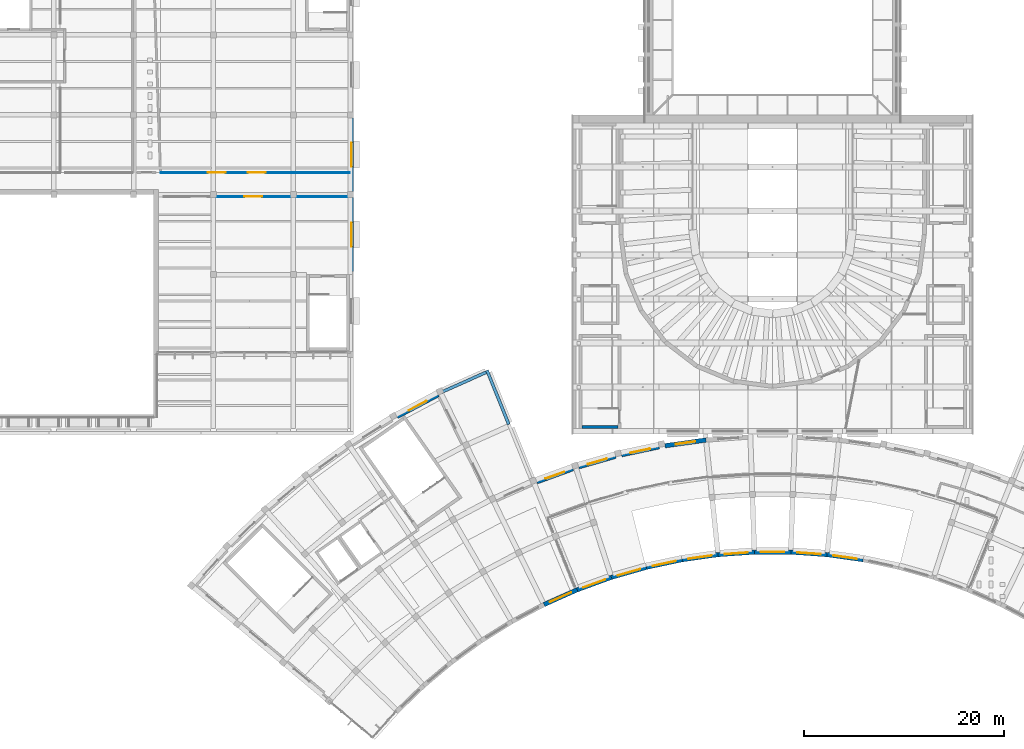
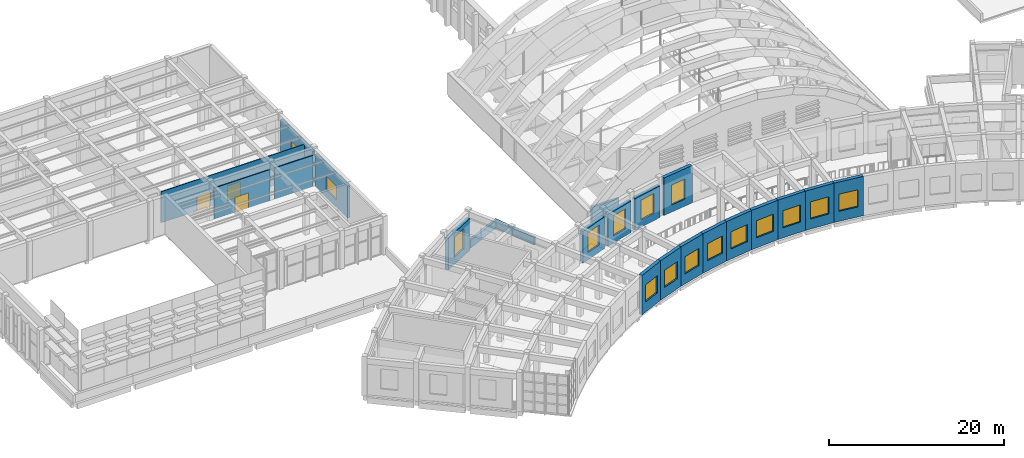
# One storey, part 61 of 94: 22 walls, 16 windows, 3 doors, 19 openings.
"""IFC4 building model written with IfcOpenShell, lengths in metres."""

from ifc_helpers import new_model, si_unit, direction, frame, frame_2d, origin, place, context, subcontext, project, spatial, rectangle, extrude, material, layer, layer_set, type_object, element, fill, save


model = new_model("IFC4")

# Units and contexts
model_context = context("Model", 3, precision=1e-05, world=origin(), true_north=direction((0.0, 1.0)))
body_context = subcontext(model_context, "Body", "Model", "MODEL_VIEW")
ifc_project = project(units=[si_unit("LENGTHUNIT", "METRE"), si_unit("AREAUNIT", "SQUARE_METRE"), si_unit("VOLUMEUNIT", "CUBIC_METRE"), si_unit("PLANEANGLEUNIT", "RADIAN"), si_unit("MASSUNIT", "GRAM", prefix="KILO")], contexts=[model_context])

# Site, building, storey
site_placement = place(None, origin())
site = spatial("IfcSite", under=ifc_project, at=site_placement, CompositionType="ELEMENT")
building_placement = place(site_placement, origin())
building = spatial("IfcBuilding", under=site, at=building_placement, Name="Lunette Opera House", CompositionType="ELEMENT")
storey_placement = place(building_placement, frame((0.0, 0.0, 22.5)))
storey = spatial("IfcBuildingStorey", under=building, at=storey_placement, Name="L04", CompositionType="ELEMENT", Elevation=22.5)

# Wall, opening, window
ifc_material_1 = material(Name="Clinker brick", Category="masonry")
ifc_layer_1 = layer(ifc_material_1, 0.449951171875)
ifc_layer_set_1 = layer_set([ifc_layer_1], Name="Clinker brick")
wall_type_1 = type_object("IfcWallType", Name="ARM RAIN SCREEN WALL 450", PredefinedType="SOLIDWALL", material=ifc_layer_set_1)
wall_1_placement = place(storey_placement, frame((58.3779296875, 65.763916015625, 0.0), z_axis=(0.0, 0.0, 1.0), x_axis=(0.882917406039, 0.469528331535, 0.0)))
wall_1 = element("IfcWall", 1, at=wall_1_placement, inside=storey, type_object=wall_type_1, Name="Arm Rain Screen Wall 450 BW-CW06 L04", PredefinedType="SOLIDWALL", context=body_context, shape_type="SweptSolid", body=[
    extrude(rectangle(XDim=4.68798828125, YDim=0.449951171875, at=frame_2d((2.343994140625, 0.0))), origin(), (0.0, 0.0, 1.0), 4.449951171875),
])
opening_1_placement = place(wall_1_placement, frame((1.343994140625, 0.0, 1.0)))
opening_1 = element("IfcOpeningElement", 2, at=opening_1_placement, cuts=wall_1, Name="Opening FC-N2134", PredefinedType="OPENING", context=body_context, shape_type="SweptSolid", body=[
    extrude(rectangle(XDim=2.0, YDim=2.800048828125, at=frame_2d((1.0, 1.39990234375))), frame((0.0, 0.237060546875, 0.0), z_axis=(0.0, -1.0, 0.0), x_axis=(1.0, 0.0, 0.0)), (0.0, 0.0, 1.0), 0.473876953125),
])
ifc_material_2 = material(Name="Aluminium", Category="aluminium")
window_type_1 = type_object("IfcWindowType", Name="ARM WINDOW 2000 X 2800", PartitioningType="DOUBLE_PANEL_VERTICAL", PredefinedType="WINDOW", material=ifc_material_2)
window_1_placement = place(opening_1_placement, origin())
window_1 = element("IfcWindow", 3, at=window_1_placement, inside=storey, type_object=window_type_1, Name="Arm Window 2000 X 2800 BW-CW06 L04", OverallHeight=2.800048828125, OverallWidth=2.0, PartitioningType="DOUBLE_PANEL_VERTICAL", PredefinedType="WINDOW", context=body_context, shape_type="SweptSolid", body=[
    extrude(rectangle(XDim=2.0, YDim=2.800048828125, at=frame_2d((1.0, 1.39990234375))), frame((0.0, 0.030029296875, 0.0), z_axis=(0.0, -1.0, 0.0), x_axis=(1.0, 0.0, 0.0)), (0.0, 0.0, 1.0), 0.06005859375),
])
fill(opening_1, window_1)

ifc_material_3 = material(Name="Clinker brick", Category="masonry")
ifc_layer_2 = layer(ifc_material_3, 0.449951171875)
ifc_layer_set_2 = layer_set([ifc_layer_2], Name="Clinker brick")
wall_type_2 = type_object("IfcWallType", Name="ARM REAR WALL 450", PredefinedType="SOLIDWALL", material=ifc_layer_set_2)
wall_2_placement = place(storey_placement, frame((89.333984375, 63.425048828125, 0.0), z_axis=(0.0, 0.0, 1.0), x_axis=(-0.990278626162, -0.139097960324, 0.0)))
wall_2 = element("IfcWall", 4, at=wall_2_placement, inside=storey, type_object=wall_type_2, Name="Arm Rear Wall 450 F13 L04", PredefinedType="SOLIDWALL", context=body_context, shape_type="SweptSolid", body=[
    extrude(rectangle(XDim=4.149169921875, YDim=0.449951171875, at=frame_2d((2.07470703125, 0.0))), origin(), (0.0, 0.0, 1.0), 5.25),
])
opening_2_placement = place(wall_2_placement, frame((1.074951171875, 0.0, 1.0)))
opening_2 = element("IfcOpeningElement", 5, at=opening_2_placement, cuts=wall_2, Name="Opening FC-N2203", PredefinedType="OPENING", context=body_context, shape_type="SweptSolid", body=[
    extrude(rectangle(XDim=2.0, YDim=2.800048828125, at=frame_2d((1.0, 1.39990234375))), frame((0.0, 0.237060546875, 0.0), z_axis=(0.0, -1.0, 0.0), x_axis=(1.0, 0.0, 0.0)), (0.0, 0.0, 1.0), 0.473876953125),
])
window_2_placement = place(opening_2_placement, origin())
window_2 = element("IfcWindow", 6, at=window_2_placement, inside=storey, type_object=window_type_1, Name="Arm Window 2000 X 2800 F13 L04", OverallHeight=2.800048828125, OverallWidth=2.0, PartitioningType="DOUBLE_PANEL_VERTICAL", PredefinedType="WINDOW", context=body_context, shape_type="SweptSolid", body=[
    extrude(rectangle(XDim=2.0, YDim=2.800048828125, at=frame_2d((1.0, 1.39990234375))), frame((0.0, 0.030029296875, 0.0), z_axis=(0.0, -1.0, 0.0), x_axis=(1.0, 0.0, 0.0)), (0.0, 0.0, 1.0), 0.06005859375),
])
fill(opening_2, window_2)

wall_3_placement = place(storey_placement, frame((84.631103515625, 62.742919921875, 0.0), z_axis=(0.0, 0.0, 1.0), x_axis=(-0.978203666183, -0.207647748524, 0.0)))
wall_3 = element("IfcWall", 7, at=wall_3_placement, inside=storey, type_object=wall_type_2, Name="Arm Rear Wall 450 F14 L04", PredefinedType="SOLIDWALL", context=body_context, shape_type="SweptSolid", body=[
    extrude(rectangle(XDim=3.846923828125, YDim=0.449951171875, at=frame_2d((1.92333984375, 0.0))), origin(), (0.0, 0.0, 1.0), 4.449951171875),
])
opening_3_placement = place(wall_3_placement, frame((0.923095703125, 0.0, 1.0)))
opening_3 = element("IfcOpeningElement", 8, at=opening_3_placement, cuts=wall_3, Name="Opening FC-N2204", PredefinedType="OPENING", context=body_context, shape_type="SweptSolid", body=[
    extrude(rectangle(XDim=2.0, YDim=2.800048828125, at=frame_2d((1.0, 1.39990234375))), frame((0.0, 0.237060546875, 0.0), z_axis=(0.0, -1.0, 0.0), x_axis=(1.0, 0.0, 0.0)), (0.0, 0.0, 1.0), 0.473876953125),
])
window_3_placement = place(opening_3_placement, origin())
window_3 = element("IfcWindow", 9, at=window_3_placement, inside=storey, type_object=window_type_1, Name="Arm Window 2000 X 2800 F14 L04", OverallHeight=2.800048828125, OverallWidth=2.0, PartitioningType="DOUBLE_PANEL_VERTICAL", PredefinedType="WINDOW", context=body_context, shape_type="SweptSolid", body=[
    extrude(rectangle(XDim=2.0, YDim=2.800048828125, at=frame_2d((1.0, 1.39990234375))), frame((0.0, 0.030029296875, 0.0), z_axis=(0.0, -1.0, 0.0), x_axis=(1.0, 0.0, 0.0)), (0.0, 0.0, 1.0), 0.06005859375),
])
fill(opening_3, window_3)

wall_4_placement = place(storey_placement, frame((80.281005859375, 61.798095703125, 0.0), z_axis=(0.0, 0.0, 1.0), x_axis=(-0.961216829128, -0.275793776945, 0.0)))
wall_4 = element("IfcWall", 10, at=wall_4_placement, inside=storey, type_object=wall_type_2, Name="Arm Rear Wall 450 F15 L04", PredefinedType="SOLIDWALL", context=body_context, shape_type="SweptSolid", body=[
    extrude(rectangle(XDim=3.84716796875, YDim=0.449951171875, at=frame_2d((1.923583984375, 0.0))), origin(), (0.0, 0.0, 1.0), 4.449951171875),
])
opening_4_placement = place(wall_4_placement, frame((0.923095703125, 0.0, 1.0)))
opening_4 = element("IfcOpeningElement", 11, at=opening_4_placement, cuts=wall_4, Name="Opening FC-N2205", PredefinedType="OPENING", context=body_context, shape_type="SweptSolid", body=[
    extrude(rectangle(XDim=2.0, YDim=2.800048828125, at=frame_2d((1.0, 1.39990234375))), frame((0.0, 0.237060546875, 0.0), z_axis=(0.0, -1.0, 0.0), x_axis=(1.0, 0.0, 0.0)), (0.0, 0.0, 1.0), 0.473876953125),
])
window_4_placement = place(opening_4_placement, origin())
window_4 = element("IfcWindow", 12, at=window_4_placement, inside=storey, type_object=window_type_1, Name="Arm Window 2000 X 2800 F15 L04", OverallHeight=2.800048828125, OverallWidth=2.0, PartitioningType="DOUBLE_PANEL_VERTICAL", PredefinedType="WINDOW", context=body_context, shape_type="SweptSolid", body=[
    extrude(rectangle(XDim=2.0, YDim=2.800048828125, at=frame_2d((1.0, 1.39990234375))), frame((0.0, 0.030029296875, 0.0), z_axis=(0.0, -1.0, 0.0), x_axis=(1.0, 0.0, 0.0)), (0.0, 0.0, 1.0), 0.06005859375),
])
fill(opening_4, window_4)

wall_5_placement = place(storey_placement, frame((76.008056640625, 60.550048828125, 0.0), z_axis=(0.0, 0.0, 1.0), x_axis=(-0.939658091224, -0.342114997622, 0.0)))
wall_5 = element("IfcWall", 13, at=wall_5_placement, inside=storey, type_object=wall_type_2, Name="Arm Rear Wall 450 F16 L04", PredefinedType="SOLIDWALL", context=body_context, shape_type="SweptSolid", body=[
    extrude(rectangle(XDim=3.84716796875, YDim=0.449951171875, at=frame_2d((1.923583984375, 0.0))), origin(), (0.0, 0.0, 1.0), 4.449951171875),
])
opening_5_placement = place(wall_5_placement, frame((0.924072265625, 0.0, 1.0)))
opening_5 = element("IfcOpeningElement", 14, at=opening_5_placement, cuts=wall_5, Name="Opening FC-N2206", PredefinedType="OPENING", context=body_context, shape_type="SweptSolid", body=[
    extrude(rectangle(XDim=2.0, YDim=2.800048828125, at=frame_2d((1.0, 1.39990234375))), frame((0.0, 0.237060546875, 0.0), z_axis=(0.0, -1.0, 0.0), x_axis=(1.0, 0.0, 0.0)), (0.0, 0.0, 1.0), 0.473876953125),
])
window_5_placement = place(opening_5_placement, origin())
window_5 = element("IfcWindow", 15, at=window_5_placement, inside=storey, type_object=window_type_1, Name="Arm Window 2000 X 2800 F16 L04", OverallHeight=2.800048828125, OverallWidth=2.0, PartitioningType="DOUBLE_PANEL_VERTICAL", PredefinedType="WINDOW", context=body_context, shape_type="SweptSolid", body=[
    extrude(rectangle(XDim=2.0, YDim=2.800048828125, at=frame_2d((1.0, 1.39990234375))), frame((0.0, 0.030029296875, 0.0), z_axis=(0.0, -1.0, 0.0), x_axis=(1.0, 0.0, 0.0)), (0.0, 0.0, 1.0), 0.06005859375),
])
fill(opening_5, window_5)

ifc_material_4 = material(Name="Clinker brick", Category="masonry")
ifc_layer_3 = layer(ifc_material_4, 0.449951171875)
ifc_layer_set_3 = layer_set([ifc_layer_3], Name="Clinker brick")
wall_type_3 = type_object("IfcWallType", Name="CRESCENT BRICK WALL 450", PredefinedType="SOLIDWALL", material=ifc_layer_set_3)
wall_6_placement = place(storey_placement, frame((73.10595703125, 46.93994140625, 0.0), z_axis=(0.0, 0.0, 1.0), x_axis=(0.913593217191, 0.40662935642, 0.0)))
wall_6 = element("IfcWall", 16, at=wall_6_placement, inside=storey, type_object=wall_type_3, Name="Crescent Brick Wall 450 BW-A06 L04", PredefinedType="SOLIDWALL", context=body_context, shape_type="SweptSolid", body=[
    extrude(rectangle(XDim=3.64501953125, YDim=0.449951171875, at=frame_2d((1.822509765625, 0.0))), origin(), (0.0, 0.0, 1.0), 5.5),
])
opening_6_placement = place(wall_6_placement, frame((0.653076171875, 0.0, 1.39990234375)))
opening_6 = element("IfcOpeningElement", 17, at=opening_6_placement, cuts=wall_6, Name="Opening FC-N2018", PredefinedType="OPENING", context=body_context, shape_type="SweptSolid", body=[
    extrude(rectangle(XDim=2.340087890625, YDim=2.39990234375, at=frame_2d((1.169921875, 1.199951171875))), frame((0.0, 0.237060546875, 0.0), z_axis=(0.0, -1.0, 0.0), x_axis=(1.0, 0.0, 0.0)), (0.0, 0.0, 1.0), 0.473876953125),
])
ifc_material_5 = material(Name="Aluminium", Category="aluminium")
window_type_2 = type_object("IfcWindowType", Name="CHICAGO WINDOW 2340 X 2400", PartitioningType="TRIPLE_PANEL_VERTICAL", PredefinedType="WINDOW", material=ifc_material_5)
window_6_placement = place(opening_6_placement, origin())
window_6 = element("IfcWindow", 18, at=window_6_placement, inside=storey, type_object=window_type_2, Name="Chicago Window 2340 X 2400 BW-A06 L04", OverallHeight=2.39990234375, OverallWidth=2.340087890625, PartitioningType="TRIPLE_PANEL_VERTICAL", PredefinedType="WINDOW", context=body_context, shape_type="SweptSolid", body=[
    extrude(rectangle(XDim=2.340087890625, YDim=2.39990234375, at=frame_2d((1.169921875, 1.199951171875))), frame((0.0, 0.030029296875, 0.0), z_axis=(0.0, -1.0, 0.0), x_axis=(1.0, 0.0, 0.0)), (0.0, 0.0, 1.0), 0.06005859375),
])
fill(opening_6, window_6)

wall_7_placement = place(storey_placement, frame((76.43603515625, 48.422119140625, 0.0), z_axis=(0.0, 0.0, 1.0), x_axis=(0.939705410483, 0.341985001877, 0.0)))
wall_7 = element("IfcWall", 19, at=wall_7_placement, inside=storey, type_object=wall_type_3, Name="Crescent Brick Wall 450 BW-A07 L04", PredefinedType="SOLIDWALL", context=body_context, shape_type="SweptSolid", body=[
    extrude(rectangle(XDim=3.645751953125, YDim=0.449951171875, at=frame_2d((1.82275390625, 0.0))), origin(), (0.0, 0.0, 1.0), 5.5),
])
opening_7_placement = place(wall_7_placement, frame((0.653076171875, 0.0, 1.39990234375)))
opening_7 = element("IfcOpeningElement", 20, at=opening_7_placement, cuts=wall_7, Name="Opening FC-N2021", PredefinedType="OPENING", context=body_context, shape_type="SweptSolid", body=[
    extrude(rectangle(XDim=2.340087890625, YDim=2.39990234375, at=frame_2d((1.169921875, 1.199951171875))), frame((0.0, 0.237060546875, 0.0), z_axis=(0.0, -1.0, 0.0), x_axis=(1.0, 0.0, 0.0)), (0.0, 0.0, 1.0), 0.473876953125),
])
window_7_placement = place(opening_7_placement, origin())
window_7 = element("IfcWindow", 21, at=window_7_placement, inside=storey, type_object=window_type_2, Name="Chicago Window 2340 X 2400 BW-A07 L04", OverallHeight=2.39990234375, OverallWidth=2.340087890625, PartitioningType="TRIPLE_PANEL_VERTICAL", PredefinedType="WINDOW", context=body_context, shape_type="SweptSolid", body=[
    extrude(rectangle(XDim=2.340087890625, YDim=2.39990234375, at=frame_2d((1.169921875, 1.199951171875))), frame((0.0, 0.030029296875, 0.0), z_axis=(0.0, -1.0, 0.0), x_axis=(1.0, 0.0, 0.0)), (0.0, 0.0, 1.0), 0.06005859375),
])
fill(opening_7, window_7)

wall_8_placement = place(storey_placement, frame((79.862060546875, 49.6689453125, 0.0), z_axis=(0.0, 0.0, 1.0), x_axis=(0.961232761004, 0.275738243942, 0.0)))
wall_8 = element("IfcWall", 22, at=wall_8_placement, inside=storey, type_object=wall_type_3, Name="Crescent Brick Wall 450 BW-A08 L04", PredefinedType="SOLIDWALL", context=body_context, shape_type="SweptSolid", body=[
    extrude(rectangle(XDim=3.645263671875, YDim=0.449951171875, at=frame_2d((1.82275390625, 0.0))), origin(), (0.0, 0.0, 1.0), 5.5),
])
opening_8_placement = place(wall_8_placement, frame((0.653076171875, 0.0, 1.39990234375)))
opening_8 = element("IfcOpeningElement", 23, at=opening_8_placement, cuts=wall_8, Name="Opening FC-N2024", PredefinedType="OPENING", context=body_context, shape_type="SweptSolid", body=[
    extrude(rectangle(XDim=2.340087890625, YDim=2.39990234375, at=frame_2d((1.169921875, 1.199951171875))), frame((0.0, 0.237060546875, 0.0), z_axis=(0.0, -1.0, 0.0), x_axis=(1.0, 0.0, 0.0)), (0.0, 0.0, 1.0), 0.473876953125),
])
window_8_placement = place(opening_8_placement, origin())
window_8 = element("IfcWindow", 24, at=window_8_placement, inside=storey, type_object=window_type_2, Name="Chicago Window 2340 X 2400 BW-A08 L04", OverallHeight=2.39990234375, OverallWidth=2.340087890625, PartitioningType="TRIPLE_PANEL_VERTICAL", PredefinedType="WINDOW", context=body_context, shape_type="SweptSolid", body=[
    extrude(rectangle(XDim=2.340087890625, YDim=2.39990234375, at=frame_2d((1.169921875, 1.199951171875))), frame((0.0, 0.030029296875, 0.0), z_axis=(0.0, -1.0, 0.0), x_axis=(1.0, 0.0, 0.0)), (0.0, 0.0, 1.0), 0.06005859375),
])
fill(opening_8, window_8)

wall_9_placement = place(storey_placement, frame((83.365966796875, 50.674072265625, 0.0), z_axis=(0.0, 0.0, 1.0), x_axis=(0.97814420729, 0.207927655077, 0.0)))
wall_9 = element("IfcWall", 25, at=wall_9_placement, inside=storey, type_object=wall_type_3, Name="Crescent Brick Wall 450 BW-A09 L04", PredefinedType="SOLIDWALL", context=body_context, shape_type="SweptSolid", body=[
    extrude(rectangle(XDim=3.64453125, YDim=0.449951171875, at=frame_2d((1.822265625, 0.0))), origin(), (0.0, 0.0, 1.0), 5.5),
])
opening_9_placement = place(wall_9_placement, frame((0.653076171875, 0.0, 1.39990234375)))
opening_9 = element("IfcOpeningElement", 26, at=opening_9_placement, cuts=wall_9, Name="Opening FC-N2027", PredefinedType="OPENING", context=body_context, shape_type="SweptSolid", body=[
    extrude(rectangle(XDim=2.340087890625, YDim=2.39990234375, at=frame_2d((1.169921875, 1.199951171875))), frame((0.0, 0.237060546875, 0.0), z_axis=(0.0, -1.0, 0.0), x_axis=(1.0, 0.0, 0.0)), (0.0, 0.0, 1.0), 0.473876953125),
])
window_9_placement = place(opening_9_placement, origin())
window_9 = element("IfcWindow", 27, at=window_9_placement, inside=storey, type_object=window_type_2, Name="Chicago Window 2340 X 2400 BW-A09 L04", OverallHeight=2.39990234375, OverallWidth=2.340087890625, PartitioningType="TRIPLE_PANEL_VERTICAL", PredefinedType="WINDOW", context=body_context, shape_type="SweptSolid", body=[
    extrude(rectangle(XDim=2.340087890625, YDim=2.39990234375, at=frame_2d((1.169921875, 1.199951171875))), frame((0.0, 0.030029296875, 0.0), z_axis=(0.0, -1.0, 0.0), x_axis=(1.0, 0.0, 0.0)), (0.0, 0.0, 1.0), 0.06005859375),
])
fill(opening_9, window_9)

wall_10_placement = place(storey_placement, frame((86.930908203125, 51.431884765625, 0.0), z_axis=(0.0, 0.0, 1.0), x_axis=(0.990278932008, 0.139095782903, 0.0)))
wall_10 = element("IfcWall", 28, at=wall_10_placement, inside=storey, type_object=wall_type_3, Name="Crescent Brick Wall 450 BW-A10 L04", PredefinedType="SOLIDWALL", context=body_context, shape_type="SweptSolid", body=[
    extrude(rectangle(XDim=3.6455078125, YDim=0.449951171875, at=frame_2d((1.82275390625, 0.0))), origin(), (0.0, 0.0, 1.0), 5.5),
])
opening_10_placement = place(wall_10_placement, frame((0.653076171875, 0.0, 1.39990234375)))
opening_10 = element("IfcOpeningElement", 29, at=opening_10_placement, cuts=wall_10, Name="Opening FC-N2030", PredefinedType="OPENING", context=body_context, shape_type="SweptSolid", body=[
    extrude(rectangle(XDim=2.340087890625, YDim=2.39990234375, at=frame_2d((1.169921875, 1.199951171875))), frame((0.0, 0.237060546875, 0.0), z_axis=(0.0, -1.0, 0.0), x_axis=(1.0, 0.0, 0.0)), (0.0, 0.0, 1.0), 0.473876953125),
])
window_10_placement = place(opening_10_placement, origin())
window_10 = element("IfcWindow", 30, at=window_10_placement, inside=storey, type_object=window_type_2, Name="Chicago Window 2340 X 2400 BW-A10 L04", OverallHeight=2.39990234375, OverallWidth=2.340087890625, PartitioningType="TRIPLE_PANEL_VERTICAL", PredefinedType="WINDOW", context=body_context, shape_type="SweptSolid", body=[
    extrude(rectangle(XDim=2.340087890625, YDim=2.39990234375, at=frame_2d((1.169921875, 1.199951171875))), frame((0.0, 0.030029296875, 0.0), z_axis=(0.0, -1.0, 0.0), x_axis=(1.0, 0.0, 0.0)), (0.0, 0.0, 1.0), 0.06005859375),
])
fill(opening_10, window_10)

wall_11_placement = place(storey_placement, frame((90.541015625, 51.93896484375, 0.0), z_axis=(0.0, 0.0, 1.0), x_axis=(0.99756600756, 0.069728477397, 0.0)))
wall_11 = element("IfcWall", 31, at=wall_11_placement, inside=storey, type_object=wall_type_3, Name="Crescent Brick Wall 450 BW-A11 L04", PredefinedType="SOLIDWALL", context=body_context, shape_type="SweptSolid", body=[
    extrude(rectangle(XDim=3.644775390625, YDim=0.449951171875, at=frame_2d((1.822265625, 0.0))), origin(), (0.0, 0.0, 1.0), 5.5),
])
opening_11_placement = place(wall_11_placement, frame((0.653076171875, 0.0, 1.39990234375)))
opening_11 = element("IfcOpeningElement", 32, at=opening_11_placement, cuts=wall_11, Name="Opening FC-N2033", PredefinedType="OPENING", context=body_context, shape_type="SweptSolid", body=[
    extrude(rectangle(XDim=2.340087890625, YDim=2.39990234375, at=frame_2d((1.169921875, 1.199951171875))), frame((0.0, 0.237060546875, 0.0), z_axis=(0.0, -1.0, 0.0), x_axis=(1.0, 0.0, 0.0)), (0.0, 0.0, 1.0), 0.473876953125),
])
window_11_placement = place(opening_11_placement, origin())
window_11 = element("IfcWindow", 33, at=window_11_placement, inside=storey, type_object=window_type_2, Name="Chicago Window 2340 X 2400 BW-A11 L04", OverallHeight=2.39990234375, OverallWidth=2.340087890625, PartitioningType="TRIPLE_PANEL_VERTICAL", PredefinedType="WINDOW", context=body_context, shape_type="SweptSolid", body=[
    extrude(rectangle(XDim=2.340087890625, YDim=2.39990234375, at=frame_2d((1.169921875, 1.199951171875))), frame((0.0, 0.030029296875, 0.0), z_axis=(0.0, -1.0, 0.0), x_axis=(1.0, 0.0, 0.0)), (0.0, 0.0, 1.0), 0.06005859375),
])
fill(opening_11, window_11)

wall_12_placement = place(storey_placement, frame((94.177001953125, 52.193115234375, 0.0), z_axis=(0.0, 0.0, 1.0), x_axis=(1.0, 0.0, 0.0)))
wall_12 = element("IfcWall", 34, at=wall_12_placement, inside=storey, type_object=wall_type_3, Name="Crescent Brick Wall 450 BW-A12 L04", PredefinedType="SOLIDWALL", context=body_context, shape_type="SweptSolid", body=[
    extrude(rectangle(XDim=3.64599609375, YDim=0.449951171875, at=frame_2d((1.822998046875, 0.0))), origin(), (0.0, 0.0, 1.0), 5.5),
])
opening_12_placement = place(wall_12_placement, frame((0.653076171875, 0.0, 1.39990234375)))
opening_12 = element("IfcOpeningElement", 35, at=opening_12_placement, cuts=wall_12, Name="Opening FC-N2036", PredefinedType="OPENING", context=body_context, shape_type="SweptSolid", body=[
    extrude(rectangle(XDim=2.340087890625, YDim=2.39990234375, at=frame_2d((1.169921875, 1.199951171875))), frame((0.0, 0.237060546875, 0.0), z_axis=(0.0, -1.0, 0.0), x_axis=(1.0, 0.0, 0.0)), (0.0, 0.0, 1.0), 0.473876953125),
])
window_12_placement = place(opening_12_placement, origin())
window_12 = element("IfcWindow", 36, at=window_12_placement, inside=storey, type_object=window_type_2, Name="Chicago Window 2340 X 2400 BW-A12 L04", OverallHeight=2.39990234375, OverallWidth=2.340087890625, PartitioningType="TRIPLE_PANEL_VERTICAL", PredefinedType="WINDOW", context=body_context, shape_type="SweptSolid", body=[
    extrude(rectangle(XDim=2.340087890625, YDim=2.39990234375, at=frame_2d((1.169921875, 1.199951171875))), frame((0.0, 0.030029296875, 0.0), z_axis=(0.0, -1.0, 0.0), x_axis=(1.0, 0.0, 0.0)), (0.0, 0.0, 1.0), 0.06005859375),
])
fill(opening_12, window_12)

wall_13_placement = place(storey_placement, frame((97.822998046875, 52.193115234375, 0.0), z_axis=(0.0, 0.0, 1.0), x_axis=(0.99756600756, -0.069728477397, 0.0)))
wall_13 = element("IfcWall", 37, at=wall_13_placement, inside=storey, type_object=wall_type_3, Name="Crescent Brick Wall 450 BW-A13 L04", PredefinedType="SOLIDWALL", context=body_context, shape_type="SweptSolid", body=[
    extrude(rectangle(XDim=3.644775390625, YDim=0.449951171875, at=frame_2d((1.822265625, 0.0))), origin(), (0.0, 0.0, 1.0), 5.5),
])
opening_13_placement = place(wall_13_placement, frame((0.653076171875, 0.0, 1.39990234375)))
opening_13 = element("IfcOpeningElement", 38, at=opening_13_placement, cuts=wall_13, Name="Opening FC-N2039", PredefinedType="OPENING", context=body_context, shape_type="SweptSolid", body=[
    extrude(rectangle(XDim=2.340087890625, YDim=2.39990234375, at=frame_2d((1.169921875, 1.199951171875))), frame((0.0, 0.237060546875, 0.0), z_axis=(0.0, -1.0, 0.0), x_axis=(1.0, 0.0, 0.0)), (0.0, 0.0, 1.0), 0.473876953125),
])
window_13_placement = place(opening_13_placement, origin())
window_13 = element("IfcWindow", 39, at=window_13_placement, inside=storey, type_object=window_type_2, Name="Chicago Window 2340 X 2400 BW-A13 L04", OverallHeight=2.39990234375, OverallWidth=2.340087890625, PartitioningType="TRIPLE_PANEL_VERTICAL", PredefinedType="WINDOW", context=body_context, shape_type="SweptSolid", body=[
    extrude(rectangle(XDim=2.340087890625, YDim=2.39990234375, at=frame_2d((1.169921875, 1.199951171875))), frame((0.0, 0.030029296875, 0.0), z_axis=(0.0, -1.0, 0.0), x_axis=(1.0, 0.0, 0.0)), (0.0, 0.0, 1.0), 0.06005859375),
])
fill(opening_13, window_13)

wall_14_placement = place(storey_placement, frame((101.458984375, 51.93896484375, 0.0), z_axis=(0.0, 0.0, 1.0), x_axis=(0.990278932008, -0.139095782903, 0.0)))
wall_14 = element("IfcWall", 40, at=wall_14_placement, inside=storey, type_object=wall_type_3, Name="Crescent Brick Wall 450 BW-A14 L04", PredefinedType="SOLIDWALL", context=body_context, shape_type="SweptSolid", body=[
    extrude(rectangle(XDim=3.6455078125, YDim=0.449951171875, at=frame_2d((1.82275390625, 0.0))), origin(), (0.0, 0.0, 1.0), 5.5),
])
opening_14_placement = place(wall_14_placement, frame((0.653076171875, 0.0, 1.39990234375)))
opening_14 = element("IfcOpeningElement", 41, at=opening_14_placement, cuts=wall_14, Name="Opening FC-N2042", PredefinedType="OPENING", context=body_context, shape_type="SweptSolid", body=[
    extrude(rectangle(XDim=2.340087890625, YDim=2.39990234375, at=frame_2d((1.169921875, 1.199951171875))), frame((0.0, 0.237060546875, 0.0), z_axis=(0.0, -1.0, 0.0), x_axis=(1.0, 0.0, 0.0)), (0.0, 0.0, 1.0), 0.473876953125),
])
window_14_placement = place(opening_14_placement, origin())
window_14 = element("IfcWindow", 42, at=window_14_placement, inside=storey, type_object=window_type_2, Name="Chicago Window 2340 X 2400 BW-A14 L04", OverallHeight=2.39990234375, OverallWidth=2.340087890625, PartitioningType="TRIPLE_PANEL_VERTICAL", PredefinedType="WINDOW", context=body_context, shape_type="SweptSolid", body=[
    extrude(rectangle(XDim=2.340087890625, YDim=2.39990234375, at=frame_2d((1.169921875, 1.199951171875))), frame((0.0, 0.030029296875, 0.0), z_axis=(0.0, -1.0, 0.0), x_axis=(1.0, 0.0, 0.0)), (0.0, 0.0, 1.0), 0.06005859375),
])
fill(opening_14, window_14)

# Wall
ifc_material_6 = material(Name="Concrete C35/45", Category="concrete")
ifc_layer_4 = layer(ifc_material_6, 0.300048828125)
ifc_layer_set_4 = layer_set([ifc_layer_4], Name="Concrete C35/45")
wall_type_4 = type_object("IfcWallType", Name="RC STAIR ENCLOSURE WALL 300", PredefinedType="SOLIDWALL", material=ifc_layer_set_4)
wall_15_placement = place(storey_placement, frame((76.89990234375, 64.75, 0.0), z_axis=(0.0, 0.0, 1.0), x_axis=(1.0, 0.0, 0.0)))
element("IfcWall", 43, at=wall_15_placement, inside=storey, type_object=wall_type_4, Name="ST7 enclosure wall 4", PredefinedType="SOLIDWALL", context=body_context, shape_type="SweptSolid", body=[
    extrude(rectangle(XDim=3.60009765625, YDim=0.300048828125, at=frame_2d((1.800048828125, 0.0))), origin(), (0.0, 0.0, 1.0), 2.89990234375),
])

# Wall, opening, window
ifc_material_7 = material(Name="Clinker brick", Category="masonry")
ifc_layer_5 = layer(ifc_material_7, 0.364990234375)
ifc_layer_set_5 = layer_set([ifc_layer_5], Name="Clinker brick")
wall_type_5 = type_object("IfcWallType", Name="REHEARSAL BRICK WALL 365", PredefinedType="SOLIDWALL", material=ifc_layer_set_5)
wall_16_placement = place(storey_placement, frame((53.818115234375, 80.2919921875, 0.0), z_axis=(0.0, 0.0, 1.0), x_axis=(0.0, 1.0, 0.0)))
wall_16 = element("IfcWall", 44, at=wall_16_placement, inside=storey, type_object=wall_type_5, Name="Rehearsal Brick Wall 365 F05 L04", PredefinedType="SOLIDWALL", context=body_context, shape_type="SweptSolid", body=[
    extrude(rectangle(XDim=7.407958984375, YDim=0.364990234375, at=frame_2d((3.7041015625, 0.0))), origin(), (0.0, 0.0, 1.0), 4.449951171875),
])
opening_15_placement = place(wall_16_placement, frame((2.50390625, 0.0, 1.0)))
opening_15 = element("IfcOpeningElement", 45, at=opening_15_placement, cuts=wall_16, Name="Opening RW-N2050", PredefinedType="OPENING", context=body_context, shape_type="SweptSolid", body=[
    extrude(rectangle(XDim=2.39990234375, YDim=2.0, at=frame_2d((1.199951171875, 1.0))), frame((0.0, 0.194580078125, 0.0), z_axis=(0.0, -1.0, 0.0), x_axis=(1.0, 0.0, 0.0)), (0.0, 0.0, 1.0), 0.388916015625),
])
ifc_material_8 = material(Name="Aluminium", Category="aluminium")
window_type_3 = type_object("IfcWindowType", Name="REHEARSAL WINDOW 2400 X 2000", PartitioningType="DOUBLE_PANEL_VERTICAL", PredefinedType="WINDOW", material=ifc_material_8)
window_15_placement = place(opening_15_placement, origin())
window_15 = element("IfcWindow", 46, at=window_15_placement, inside=storey, type_object=window_type_3, Name="Rehearsal Window 2400 X 2000 F05 L04", OverallHeight=2.0, OverallWidth=2.39990234375, PartitioningType="DOUBLE_PANEL_VERTICAL", PredefinedType="WINDOW", context=body_context, shape_type="SweptSolid", body=[
    extrude(rectangle(XDim=2.39990234375, YDim=2.0, at=frame_2d((1.199951171875, 1.0))), frame((0.0, 0.030029296875, 0.0), z_axis=(0.0, -1.0, 0.0), x_axis=(1.0, 0.0, 0.0)), (0.0, 0.0, 1.0), 0.06005859375),
])
fill(opening_15, window_15)

wall_17_placement = place(storey_placement, frame((53.818115234375, 88.300048828125, 0.0), z_axis=(0.0, 0.0, 1.0), x_axis=(0.0, 1.0, 0.0)))
wall_17 = element("IfcWall", 47, at=wall_17_placement, inside=storey, type_object=wall_type_5, Name="Rehearsal Brick Wall 365 F06 L04", PredefinedType="SOLIDWALL", context=body_context, shape_type="SweptSolid", body=[
    extrude(rectangle(XDim=7.39990234375, YDim=0.364990234375, at=frame_2d((3.699951171875, 0.0))), origin(), (0.0, 0.0, 1.0), 4.449951171875),
])
opening_16_placement = place(wall_17_placement, frame((2.5, 0.0, 1.0)))
opening_16 = element("IfcOpeningElement", 48, at=opening_16_placement, cuts=wall_17, Name="Opening RW-N2051", PredefinedType="OPENING", context=body_context, shape_type="SweptSolid", body=[
    extrude(rectangle(XDim=2.39990234375, YDim=2.0, at=frame_2d((1.199951171875, 1.0))), frame((0.0, 0.194580078125, 0.0), z_axis=(0.0, -1.0, 0.0), x_axis=(1.0, 0.0, 0.0)), (0.0, 0.0, 1.0), 0.388916015625),
])
window_16_placement = place(opening_16_placement, origin())
window_16 = element("IfcWindow", 49, at=window_16_placement, inside=storey, type_object=window_type_3, Name="Rehearsal Window 2400 X 2000 F06 L04", OverallHeight=2.0, OverallWidth=2.39990234375, PartitioningType="DOUBLE_PANEL_VERTICAL", PredefinedType="WINDOW", context=body_context, shape_type="SweptSolid", body=[
    extrude(rectangle(XDim=2.39990234375, YDim=2.0, at=frame_2d((1.199951171875, 1.0))), frame((0.0, 0.030029296875, 0.0), z_axis=(0.0, -1.0, 0.0), x_axis=(1.0, 0.0, 0.0)), (0.0, 0.0, 1.0), 0.06005859375),
])
fill(opening_16, window_16)

# Walls
ifc_material_9 = material(Name="Clinker brick", Category="masonry")
ifc_layer_6 = layer(ifc_material_9, 0.300048828125)
ifc_layer_set_6 = layer_set([ifc_layer_6], Name="Clinker brick")
wall_type_6 = type_object("IfcWallType", Name="ROOF PARAPET WALL 300", PredefinedType="PARAPET", material=ifc_layer_set_6)
wall_18_placement = place(storey_placement, frame((69.580078125, 64.989990234375, 0.0), z_axis=(0.0, 0.0, 1.0), x_axis=(-0.374487932995, 0.927231787657, 0.0)))
element("IfcWall", 50, at=wall_18_placement, inside=storey, type_object=wall_type_6, Name="Roof Parapet Wall 300 PA-L03-14 L04", PredefinedType="PARAPET", context=body_context, shape_type="SweptSolid", body=[
    extrude(rectangle(XDim=5.840087890625, YDim=0.300048828125, at=frame_2d((2.919921875, 0.0))), origin(), (0.0, 0.0, 1.0), 1.10009765625),
])
wall_19_placement = place(storey_placement, frame((67.31201171875, 70.205078125, 0.0), z_axis=(0.0, 0.0, 1.0), x_axis=(-0.913465131429, -0.406917010782, 0.0)))
element("IfcWall", 51, at=wall_19_placement, inside=storey, type_object=wall_type_6, Name="Roof Parapet Wall 300 PA-L03-15 L04", PredefinedType="PARAPET", context=body_context, shape_type="SweptSolid", body=[
    extrude(rectangle(XDim=4.974365234375, YDim=0.300048828125, at=frame_2d((2.4873046875, 0.0))), origin(), (0.0, 0.0, 1.0), 1.10009765625),
])

# Wall, opening, door
ifc_material_10 = material(Name="Gypsum board on steel studs", Category="steel")
ifc_layer_7 = layer(ifc_material_10, 0.10009765625)
ifc_layer_set_7 = layer_set([ifc_layer_7], Name="Gypsum board on steel studs")
wall_type_7 = type_object("IfcWallType", Name="STUD PARTITION 100", PredefinedType="PARTITIONING", material=ifc_layer_set_7)
wall_20_placement = place(storey_placement, frame((40.300048828125, 87.800048828125, 0.0), z_axis=(0.0, 0.0, 1.0), x_axis=(1.0, 0.0, 0.0)))
wall_20 = element("IfcWall", 52, at=wall_20_placement, inside=storey, type_object=wall_type_7, Name="Partition Corridor L04 Rehearsal", PredefinedType="PARTITIONING", context=body_context, shape_type="SweptSolid", body=[
    extrude(rectangle(XDim=7.39990234375, YDim=0.10009765625, at=frame_2d((3.699951171875, 0.0))), origin(), (0.0, 0.0, 1.0), 4.35009765625),
])
opening_17_placement = place(wall_20_placement, frame((2.800048828125, 0.0, 0.0)))
opening_17 = element("IfcOpeningElement", 53, at=opening_17_placement, cuts=wall_20, Name="Opening RW-D3047", PredefinedType="OPENING", context=body_context, shape_type="SweptSolid", body=[
    extrude(rectangle(XDim=1.800048828125, YDim=2.10009765625, at=frame_2d((0.89990234375, 1.050048828125))), frame((0.0, 0.06201171875, 0.0), z_axis=(0.0, -1.0, 0.0), x_axis=(1.0, 0.0, 0.0)), (0.0, 0.0, 1.0), 0.1240234375),
])
ifc_material_11 = material(Name="Timber", Category="wood")
door_type = type_object("IfcDoorType", Name="DOUBLE FLUSH DOOR 1800 X 2100", OperationType="DOUBLE_DOOR_SINGLE_SWING", PredefinedType="DOOR", material=ifc_material_11)
door_1_placement = place(opening_17_placement, origin())
door_1 = element("IfcDoor", 54, at=door_1_placement, inside=storey, type_object=door_type, Name="Ensemble Practice Hall door", OperationType="DOUBLE_DOOR_SINGLE_SWING", OverallHeight=2.10009765625, OverallWidth=1.800048828125, PredefinedType="DOOR", context=body_context, shape_type="SweptSolid", body=[
    extrude(rectangle(XDim=1.800048828125, YDim=2.10009765625, at=frame_2d((0.89990234375, 1.050048828125))), frame((0.0, 0.02490234375, 0.0), z_axis=(0.0, -1.0, 0.0), x_axis=(1.0, 0.0, 0.0)), (0.0, 0.0, 1.0), 0.050048828125),
])
fill(opening_17, door_1)

# Wall
wall_21_placement = place(storey_placement, frame((48.300048828125, 87.800048828125, 0.0), z_axis=(0.0, 0.0, 1.0), x_axis=(1.0, 0.0, 0.0)))
element("IfcWall", 55, at=wall_21_placement, inside=storey, type_object=wall_type_7, Name="Partition Corridor L04 Rehearsal", PredefinedType="PARTITIONING", context=body_context, shape_type="SweptSolid", body=[
    extrude(rectangle(XDim=5.099853515625, YDim=0.10009765625, at=frame_2d((2.5498046875, 0.0))), origin(), (0.0, 0.0, 1.0), 4.35009765625),
])

# Wall, openings, doors
wall_22_placement = place(storey_placement, frame((53.635009765625, 90.199951171875, 0.0), z_axis=(0.0, 0.0, 1.0), x_axis=(-1.0, 0.0, 0.0)))
wall_22 = element("IfcWall", 56, at=wall_22_placement, inside=storey, type_object=wall_type_7, Name="Partition Corridor L04 Rehearsal", PredefinedType="PARTITIONING", context=body_context, shape_type="SweptSolid", body=[
    extrude(rectangle(XDim=18.93603515625, YDim=0.10009765625, at=frame_2d((9.468017578125, 0.0))), origin(), (0.0, 0.0, 1.0), 4.35009765625),
])
opening_18_placement = place(wall_22_placement, frame((8.39306640625, 0.0, 0.0)))
opening_18 = element("IfcOpeningElement", 57, at=opening_18_placement, cuts=wall_22, Name="Opening RW-D3045", PredefinedType="OPENING", context=body_context, shape_type="SweptSolid", body=[
    extrude(rectangle(XDim=1.800048828125, YDim=2.10009765625, at=frame_2d((0.89990234375, 1.050048828125))), frame((0.0, 0.06201171875, 0.0), z_axis=(0.0, -1.0, 0.0), x_axis=(1.0, 0.0, 0.0)), (0.0, 0.0, 1.0), 0.1240234375),
])
opening_19_placement = place(wall_22_placement, frame((12.39306640625, 0.0, 0.0)))
opening_19 = element("IfcOpeningElement", 58, at=opening_19_placement, cuts=wall_22, Name="Opening RW-D3046", PredefinedType="OPENING", context=body_context, shape_type="SweptSolid", body=[
    extrude(rectangle(XDim=1.800048828125, YDim=2.10009765625, at=frame_2d((0.89990234375, 1.050048828125))), frame((0.0, 0.06201171875, 0.0), z_axis=(0.0, -1.0, 0.0), x_axis=(1.0, 0.0, 0.0)), (0.0, 0.0, 1.0), 0.1240234375),
])
door_2_placement = place(opening_18_placement, origin())
door_2 = element("IfcDoor", 59, at=door_2_placement, inside=storey, type_object=door_type, Name="Dancers' Warm-up Hall door", OperationType="DOUBLE_DOOR_SINGLE_SWING", OverallHeight=2.10009765625, OverallWidth=1.800048828125, PredefinedType="DOOR", context=body_context, shape_type="SweptSolid", body=[
    extrude(rectangle(XDim=1.800048828125, YDim=2.10009765625, at=frame_2d((0.89990234375, 1.050048828125))), frame((0.0, 0.02490234375, 0.0), z_axis=(0.0, -1.0, 0.0), x_axis=(1.0, 0.0, 0.0)), (0.0, 0.0, 1.0), 0.050048828125),
])
fill(opening_18, door_2)
door_3_placement = place(opening_19_placement, origin())
door_3 = element("IfcDoor", 60, at=door_3_placement, inside=storey, type_object=door_type, Name="Dancers' Warm-up Hall door", OperationType="DOUBLE_DOOR_SINGLE_SWING", OverallHeight=2.10009765625, OverallWidth=1.800048828125, PredefinedType="DOOR", context=body_context, shape_type="SweptSolid", body=[
    extrude(rectangle(XDim=1.800048828125, YDim=2.10009765625, at=frame_2d((0.89990234375, 1.050048828125))), frame((0.0, 0.02490234375, 0.0), z_axis=(0.0, -1.0, 0.0), x_axis=(1.0, 0.0, 0.0)), (0.0, 0.0, 1.0), 0.050048828125),
])
fill(opening_19, door_3)

save(model, "model.ifc")
